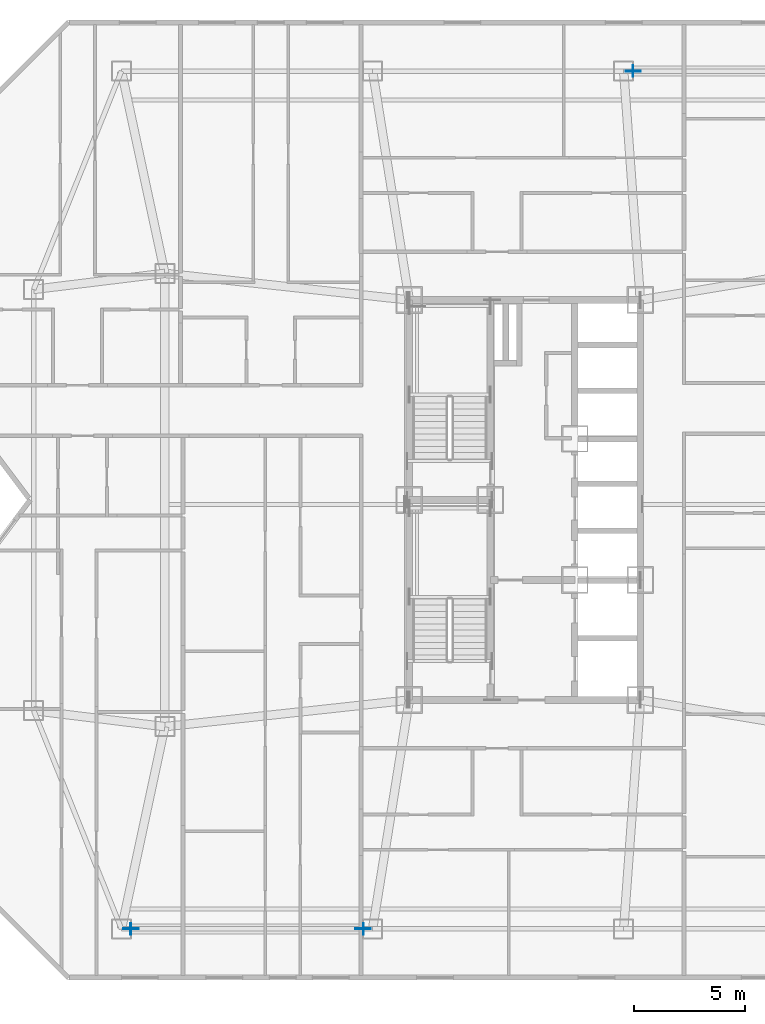
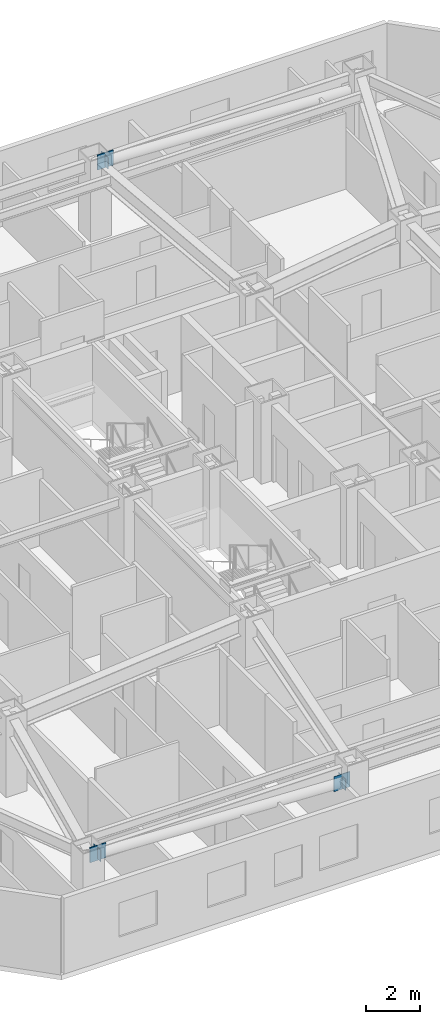
# One storey, part 3 of 12: 6 plates.
"""IFC4 building model written with IfcOpenShell, lengths in metres."""

from ifc_helpers import new_model, si_unit, direction, frame, origin, origin_2d, place, context, subcontext, project, spatial, rectangle, extrude, material, layer, layer_set, type_object, element, save


model = new_model("IFC4")

# Units and contexts
model_context = context("Model", 3, precision=1e-05, world=origin(), true_north=direction((0.0, 1.0)))
body_context = subcontext(model_context, "Body", "Model", "MODEL_VIEW")
ifc_project = project(units=[si_unit("LENGTHUNIT", "METRE"), si_unit("AREAUNIT", "SQUARE_METRE"), si_unit("VOLUMEUNIT", "CUBIC_METRE"), si_unit("PLANEANGLEUNIT", "RADIAN"), si_unit("MASSUNIT", "GRAM", prefix="KILO")], contexts=[model_context])

# Site, building, storey
site_placement = place(None, origin())
site = spatial("IfcSite", under=ifc_project, at=site_placement, CompositionType="ELEMENT")
building_placement = place(site_placement, origin())
building = spatial("IfcBuilding", under=site, at=building_placement, Name="Khamvora Tower", CompositionType="ELEMENT")
storey_placement = place(building_placement, frame((0.0, 0.0, 138.39990234375)))
storey = spatial("IfcBuildingStorey", under=building, at=storey_placement, Name="L35", CompositionType="ELEMENT", Elevation=138.39990234375)

# Plates
ifc_material_1 = material(Name="Steel S355", Category="steel")
ifc_layer_1 = layer(ifc_material_1, 0.02490234375)
ifc_layer_set_1 = layer_set([ifc_layer_1], Name="Steel S355")
plate_type_1 = type_object("IfcPlateType", Name="PL-CAP-25", PredefinedType="SHEET", material=ifc_layer_set_1)
for number, where, z_axis, x_axis, name in (
    (1, (26.931884765625, 8.699951171875, 2.4384765625), (0.0, 0.0, 1.0), (-1.0, 0.0, 0.0), "L35 hollow section steel end cap plate 0784"),
    (2, (16.468017578125, 8.699951171875, 2.886474609375), (0.0, 0.0, 1.0), (-1.0, 0.0, 0.0), "L35 hollow section steel end cap plate 0785"),
    (3, (39.068115234375, 47.300048828125, 2.886474609375), (0.0, 0.0, 1.0), (-1.0, 0.0, 0.0), "L35 hollow section steel end cap plate 0787"),
):
    element("IfcPlate", number, at=place(storey_placement, frame(where, z_axis=z_axis, x_axis=x_axis)), inside=storey, type_object=plate_type_1, Name=name, PredefinedType="SHEET", context=body_context, shape_type="SweptSolid", body=[
        extrude(rectangle(XDim=0.02490234375, YDim=0.51708984375, at=origin_2d()), origin(), (0.0, 0.0, 1.0), 0.51708984375),
    ])
ifc_material_2 = material(Name="Steel S460", Category="steel")
ifc_layer_2 = layer(ifc_material_2, 0.0400390625)
ifc_layer_set_2 = layer_set([ifc_layer_2], Name="Steel S460")
plate_type_2 = type_object("IfcPlateType", Name="PLT-GUS-40", PredefinedType="SHEET", material=ifc_layer_set_2)
for number, where, z_axis, x_axis, name in (
    (4, (26.919921875, 8.699951171875, 2.35791015625), (0.0, 0.0, 1.0), (1.0, 0.0, 0.0), "L35 brace connection node gusset plate 0217"),
    (5, (16.47998046875, 8.699951171875, 2.80419921875), (0.0, 0.0, 1.0), (1.0, 0.0, 0.0), "L35 brace connection node gusset plate 0218"),
    (6, (39.080078125, 47.300048828125, 2.80419921875), (0.0, 0.0, 1.0), (1.0, 0.0, 0.0), "L35 brace connection node gusset plate 0220"),
):
    element("IfcPlate", number, at=place(storey_placement, frame(where, z_axis=z_axis, x_axis=x_axis)), inside=storey, type_object=plate_type_2, Name=name, PredefinedType="SHEET", context=body_context, shape_type="SweptSolid", body=[
        extrude(rectangle(XDim=0.679931640625, YDim=0.0400390625, at=origin_2d()), origin(), (0.0, 0.0, 1.0), 0.679931640625),
    ])

save(model, "model.ifc")
